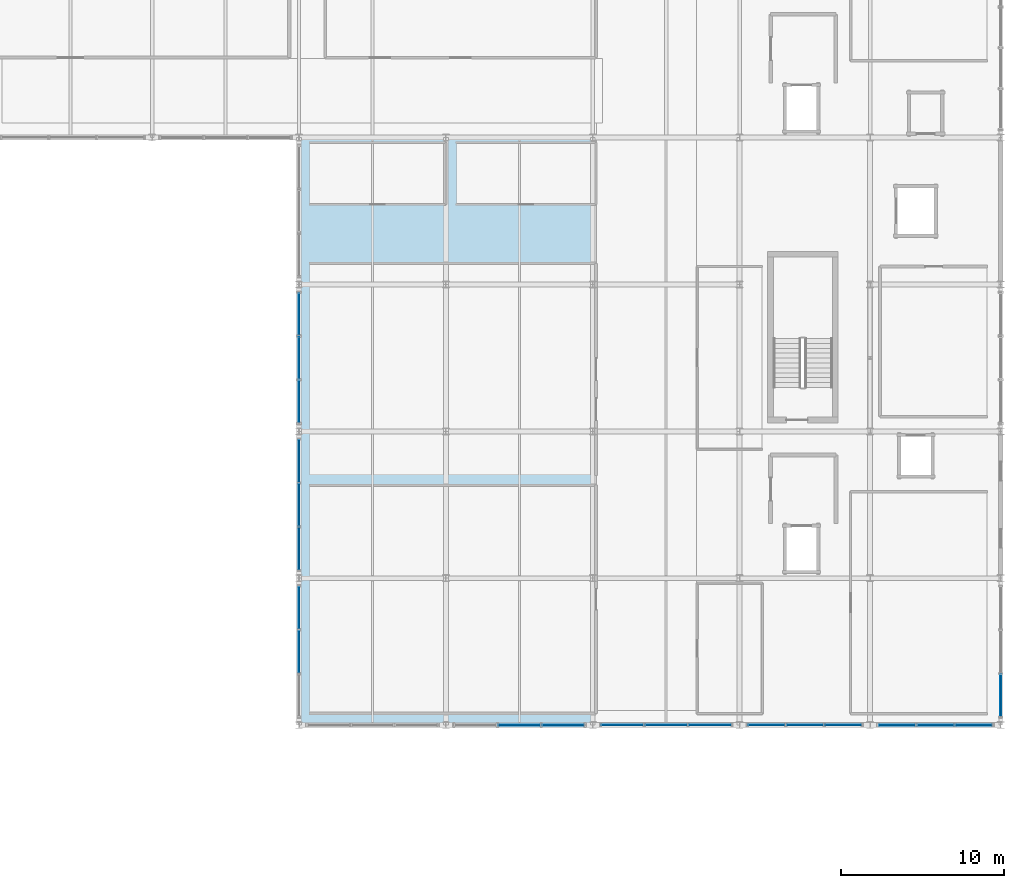
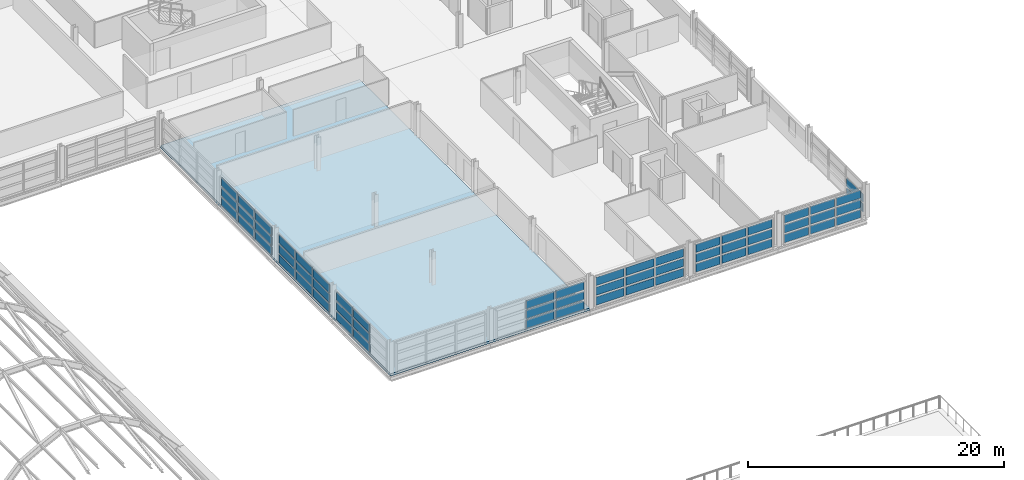
# One storey, part 58 of 86: 59 plates, 1 slab, 8 elements without a shape of their own.
"""IFC4 building model written with IfcOpenShell, lengths in metres."""

from ifc_helpers import new_model, si_unit, direction, frame, origin, origin_2d, place, context, subcontext, project, spatial, polyline, rectangle, outline, extrude, material, layer, layer_set, type_object, element, aggregate, save


model = new_model("IFC4")

# Units and contexts
model_context = context("Model", 3, precision=1e-05, world=origin(), true_north=direction((0.0, 1.0)))
body_context = subcontext(model_context, "Body", "Model", "MODEL_VIEW")
ifc_project = project(units=[si_unit("LENGTHUNIT", "METRE"), si_unit("AREAUNIT", "SQUARE_METRE"), si_unit("VOLUMEUNIT", "CUBIC_METRE"), si_unit("PLANEANGLEUNIT", "RADIAN"), si_unit("MASSUNIT", "GRAM", prefix="KILO")], contexts=[model_context])

# Site, building, storey
site_placement = place(None, origin())
site = spatial("IfcSite", under=ifc_project, at=site_placement, CompositionType="ELEMENT")
building_placement = place(site_placement, origin())
building = spatial("IfcBuilding", under=site, at=building_placement, Name="Chuanluo Vaults Station", CompositionType="ELEMENT")
storey_placement = place(building_placement, frame((0.0, 0.0, 14.39990234375)))
storey = spatial("IfcBuildingStorey", under=building, at=storey_placement, Name="L03", CompositionType="ELEMENT", Elevation=14.39990234375)

# Curtain wall, plates
ifc_material_1 = material(Name="Anodised aluminium 6063-T6", Category="aluminium")
curtain_wall_type_1 = type_object("IfcCurtainWallType", Name="CW-SYS-19", PredefinedType="NOTDEFINED", material=ifc_material_1)
curtain_wall_1_placement = place(storey_placement, origin())
curtain_wall_1 = element("IfcCurtainWall", 1, at=curtain_wall_1_placement, inside=storey, type_object=curtain_wall_type_1, Name="Operations L03 facade CW part 2", PredefinedType="NOTDEFINED")
ifc_material_2 = material(Name="Ceramic-fritted spandrel glass", Category="glass")
ifc_layer_1 = layer(ifc_material_2, 0.06396484375)
ifc_layer_set_1 = layer_set([ifc_layer_1], Name="Ceramic-fritted spandrel glass")
plate_type_1 = type_object("IfcPlateType", Name="CWP-SPN-42", PredefinedType="SHEET", material=ifc_layer_set_1)
plate_1_placement = place(storey_placement, frame((178.35009765625, 67.5, 0.080078125), z_axis=(0.0, 0.0, 1.0), x_axis=(-1.0, 0.0, 0.0)))
plate_1 = element("IfcPlate", 2, at=plate_1_placement, type_object=plate_type_1, Name="Operations L03 facade CW part 2 glazed panel 1.1", PredefinedType="SHEET", context=body_context, shape_type="SweptSolid", body=[
    extrude(rectangle(XDim=2.18994140625, YDim=0.06396484375, at=origin_2d()), origin(), (0.0, 0.0, 1.0), 0.773193359375),
])
plate_2_placement = place(storey_placement, frame((176.0, 67.5, 0.080078125), z_axis=(0.0, 0.0, 1.0), x_axis=(-1.0, 0.0, 0.0)))
plate_2 = element("IfcPlate", 3, at=plate_2_placement, type_object=plate_type_1, Name="Operations L03 facade CW part 2 glazed panel 2.1", PredefinedType="SHEET", context=body_context, shape_type="SweptSolid", body=[
    extrude(rectangle(XDim=2.18994140625, YDim=0.06396484375, at=origin_2d()), origin(), (0.0, 0.0, 1.0), 0.773193359375),
])
plate_3_placement = place(storey_placement, frame((173.64990234375, 67.5, 0.080078125), z_axis=(0.0, 0.0, 1.0), x_axis=(-1.0, 0.0, 0.0)))
plate_3 = element("IfcPlate", 4, at=plate_3_placement, type_object=plate_type_1, Name="Operations L03 facade CW part 2 glazed panel 3.1", PredefinedType="SHEET", context=body_context, shape_type="SweptSolid", body=[
    extrude(rectangle(XDim=2.18994140625, YDim=0.06396484375, at=origin_2d()), origin(), (0.0, 0.0, 1.0), 0.773193359375),
])

ifc_material_3 = material(Name="Anodised aluminium 6063-T6", Category="aluminium")
curtain_wall_type_2 = type_object("IfcCurtainWallType", Name="CW-SYS-21", PredefinedType="NOTDEFINED", material=ifc_material_3)
curtain_wall_2_placement = place(storey_placement, origin())
curtain_wall_2 = element("IfcCurtainWall", 5, at=curtain_wall_2_placement, inside=storey, type_object=curtain_wall_type_2, Name="Operations L03 facade CW", PredefinedType="NOTDEFINED")
plate_4_placement = place(storey_placement, frame((161.183349609375, 67.5, 0.080078125), z_axis=(0.0, 0.0, 1.0), x_axis=(-1.0, 0.0, 0.0)))
plate_4 = element("IfcPlate", 6, at=plate_4_placement, type_object=plate_type_1, Name="Operations L03 facade CW glazed panel 1.1", PredefinedType="SHEET", context=body_context, shape_type="SweptSolid", body=[
    extrude(rectangle(XDim=2.523193359375, YDim=0.06396484375, at=origin_2d()), origin(), (0.0, 0.0, 1.0), 0.773193359375),
])
plate_5_placement = place(storey_placement, frame((158.5, 67.5, 0.080078125), z_axis=(0.0, 0.0, 1.0), x_axis=(-1.0, 0.0, 0.0)))
plate_5 = element("IfcPlate", 7, at=plate_5_placement, type_object=plate_type_1, Name="Operations L03 facade CW glazed panel 2.1", PredefinedType="SHEET", context=body_context, shape_type="SweptSolid", body=[
    extrude(rectangle(XDim=2.523193359375, YDim=0.06396484375, at=origin_2d()), origin(), (0.0, 0.0, 1.0), 0.773193359375),
])

ifc_material_4 = material(Name="Anodised aluminium 6063-T6", Category="aluminium")
curtain_wall_type_3 = type_object("IfcCurtainWallType", Name="CW-SYS-23", PredefinedType="NOTDEFINED", material=ifc_material_4)
curtain_wall_3_placement = place(storey_placement, origin())
curtain_wall_3 = element("IfcCurtainWall", 8, at=curtain_wall_3_placement, inside=storey, type_object=curtain_wall_type_3, Name="Operations L03 facade CW", PredefinedType="NOTDEFINED")
plate_6_placement = place(storey_placement, frame((145.0, 72.0, 0.080078125), z_axis=(0.0, 0.0, 1.0), x_axis=(0.0, 1.0, 0.0)))
plate_6 = element("IfcPlate", 9, at=plate_6_placement, type_object=plate_type_1, Name="Operations L03 facade CW glazed panel 2.1", PredefinedType="SHEET", context=body_context, shape_type="SweptSolid", body=[
    extrude(rectangle(XDim=2.523193359375, YDim=0.06396484375, at=origin_2d()), origin(), (0.0, 0.0, 1.0), 0.773193359375),
])
plate_7_placement = place(storey_placement, frame((145.0, 74.683349609375, 0.080078125), z_axis=(0.0, 0.0, 1.0), x_axis=(0.0, 1.0, 0.0)))
plate_7 = element("IfcPlate", 10, at=plate_7_placement, type_object=plate_type_1, Name="Operations L03 facade CW glazed panel 3.1", PredefinedType="SHEET", context=body_context, shape_type="SweptSolid", body=[
    extrude(rectangle(XDim=2.523193359375, YDim=0.06396484375, at=origin_2d()), origin(), (0.0, 0.0, 1.0), 0.773193359375),
])

ifc_material_5 = material(Name="Anodised aluminium 6063-T6", Category="aluminium")
curtain_wall_type_4 = type_object("IfcCurtainWallType", Name="CW-SYS-25", PredefinedType="NOTDEFINED", material=ifc_material_5)
curtain_wall_4_placement = place(storey_placement, origin())
curtain_wall_4 = element("IfcCurtainWall", 11, at=curtain_wall_4_placement, inside=storey, type_object=curtain_wall_type_4, Name="Operations L03 facade CW", PredefinedType="NOTDEFINED")
plate_8_placement = place(storey_placement, frame((145.0, 87.316650390625, 0.080078125), z_axis=(0.0, 0.0, 1.0), x_axis=(0.0, 1.0, 0.0)))
plate_8 = element("IfcPlate", 12, at=plate_8_placement, type_object=plate_type_1, Name="Operations L03 facade CW glazed panel 1.1", PredefinedType="SHEET", context=body_context, shape_type="SweptSolid", body=[
    extrude(rectangle(XDim=2.523193359375, YDim=0.06396484375, at=origin_2d()), origin(), (0.0, 0.0, 1.0), 0.773193359375),
])
plate_9_placement = place(storey_placement, frame((145.0, 90.0, 0.080078125), z_axis=(0.0, 0.0, 1.0), x_axis=(0.0, 1.0, 0.0)))
plate_9 = element("IfcPlate", 13, at=plate_9_placement, type_object=plate_type_1, Name="Operations L03 facade CW glazed panel 2.1", PredefinedType="SHEET", context=body_context, shape_type="SweptSolid", body=[
    extrude(rectangle(XDim=2.523193359375, YDim=0.06396484375, at=origin_2d()), origin(), (0.0, 0.0, 1.0), 0.773193359375),
])
plate_10_placement = place(storey_placement, frame((145.0, 92.683349609375, 0.080078125), z_axis=(0.0, 0.0, 1.0), x_axis=(0.0, 1.0, 0.0)))
plate_10 = element("IfcPlate", 14, at=plate_10_placement, type_object=plate_type_1, Name="Operations L03 facade CW glazed panel 3.1", PredefinedType="SHEET", context=body_context, shape_type="SweptSolid", body=[
    extrude(rectangle(XDim=2.523193359375, YDim=0.06396484375, at=origin_2d()), origin(), (0.0, 0.0, 1.0), 0.773193359375),
])

ifc_material_6 = material(Name="Anodised aluminium 6063-T6", Category="aluminium")
curtain_wall_type_5 = type_object("IfcCurtainWallType", Name="CW-SYS-18", PredefinedType="NOTDEFINED", material=ifc_material_6)
curtain_wall_5_placement = place(storey_placement, origin())
curtain_wall_5 = element("IfcCurtainWall", 15, at=curtain_wall_5_placement, inside=storey, type_object=curtain_wall_type_5, Name="Operations L03 facade CW part 1", PredefinedType="NOTDEFINED")
ifc_material_7 = material(Name="Ceramic-fritted spandrel glass", Category="glass")
ifc_layer_2 = layer(ifc_material_7, 0.070068359375)
ifc_layer_set_2 = layer_set([ifc_layer_2], Name="Ceramic-fritted spandrel glass")
plate_type_2 = type_object("IfcPlateType", Name="CWP-SPN-50", PredefinedType="SHEET", material=ifc_layer_set_2)
plate_11_placement = place(storey_placement, frame((186.35009765625, 67.5, 0.080078125), z_axis=(0.0, 0.0, 1.0), x_axis=(-1.0, 0.0, 0.0)))
plate_11 = element("IfcPlate", 16, at=plate_11_placement, type_object=plate_type_2, Name="Operations L03 facade CW part 1 glazed panel 1.1", PredefinedType="SHEET", context=body_context, shape_type="SweptSolid", body=[
    extrude(rectangle(XDim=2.18994140625, YDim=0.070068359375, at=origin_2d()), origin(), (0.0, 0.0, 1.0), 0.773193359375),
])
plate_12_placement = place(storey_placement, frame((184.0, 67.5, 0.080078125), z_axis=(0.0, 0.0, 1.0), x_axis=(-1.0, 0.0, 0.0)))
plate_12 = element("IfcPlate", 17, at=plate_12_placement, type_object=plate_type_2, Name="Operations L03 facade CW part 1 glazed panel 2.1", PredefinedType="SHEET", context=body_context, shape_type="SweptSolid", body=[
    extrude(rectangle(XDim=2.18994140625, YDim=0.070068359375, at=origin_2d()), origin(), (0.0, 0.0, 1.0), 0.773193359375),
])
plate_13_placement = place(storey_placement, frame((181.64990234375, 67.5, 0.080078125), z_axis=(0.0, 0.0, 1.0), x_axis=(-1.0, 0.0, 0.0)))
plate_13 = element("IfcPlate", 18, at=plate_13_placement, type_object=plate_type_2, Name="Operations L03 facade CW part 1 glazed panel 3.1", PredefinedType="SHEET", context=body_context, shape_type="SweptSolid", body=[
    extrude(rectangle(XDim=2.18994140625, YDim=0.070068359375, at=origin_2d()), origin(), (0.0, 0.0, 1.0), 0.773193359375),
])

ifc_material_8 = material(Name="Anodised aluminium 6063-T6", Category="aluminium")
curtain_wall_type_6 = type_object("IfcCurtainWallType", Name="CW-SYS-20", PredefinedType="NOTDEFINED", material=ifc_material_8)
curtain_wall_6_placement = place(storey_placement, origin())
curtain_wall_6 = element("IfcCurtainWall", 19, at=curtain_wall_6_placement, inside=storey, type_object=curtain_wall_type_6, Name="Operations L03 facade CW", PredefinedType="NOTDEFINED")
plate_14_placement = place(storey_placement, frame((170.183349609375, 67.5, 0.080078125), z_axis=(0.0, 0.0, 1.0), x_axis=(-1.0, 0.0, 0.0)))
plate_14 = element("IfcPlate", 20, at=plate_14_placement, type_object=plate_type_2, Name="Operations L03 facade CW glazed panel 1.1", PredefinedType="SHEET", context=body_context, shape_type="SweptSolid", body=[
    extrude(rectangle(XDim=2.523193359375, YDim=0.070068359375, at=origin_2d()), origin(), (0.0, 0.0, 1.0), 0.773193359375),
])
plate_15_placement = place(storey_placement, frame((167.5, 67.5, 0.080078125), z_axis=(0.0, 0.0, 1.0), x_axis=(-1.0, 0.0, 0.0)))
plate_15 = element("IfcPlate", 21, at=plate_15_placement, type_object=plate_type_2, Name="Operations L03 facade CW glazed panel 2.1", PredefinedType="SHEET", context=body_context, shape_type="SweptSolid", body=[
    extrude(rectangle(XDim=2.523193359375, YDim=0.070068359375, at=origin_2d()), origin(), (0.0, 0.0, 1.0), 0.773193359375),
])
plate_16_placement = place(storey_placement, frame((164.816650390625, 67.5, 0.080078125), z_axis=(0.0, 0.0, 1.0), x_axis=(-1.0, 0.0, 0.0)))
plate_16 = element("IfcPlate", 22, at=plate_16_placement, type_object=plate_type_2, Name="Operations L03 facade CW glazed panel 3.1", PredefinedType="SHEET", context=body_context, shape_type="SweptSolid", body=[
    extrude(rectangle(XDim=2.523193359375, YDim=0.070068359375, at=origin_2d()), origin(), (0.0, 0.0, 1.0), 0.773193359375),
])

ifc_material_9 = material(Name="Anodised aluminium 6063-T6", Category="aluminium")
curtain_wall_type_7 = type_object("IfcCurtainWallType", Name="CW-SYS-24", PredefinedType="NOTDEFINED", material=ifc_material_9)
curtain_wall_7_placement = place(storey_placement, origin())
curtain_wall_7 = element("IfcCurtainWall", 23, at=curtain_wall_7_placement, inside=storey, type_object=curtain_wall_type_7, Name="Operations L03 facade CW", PredefinedType="NOTDEFINED")
plate_17_placement = place(storey_placement, frame((145.0, 78.316650390625, 0.080078125), z_axis=(0.0, 0.0, 1.0), x_axis=(0.0, 1.0, 0.0)))
plate_17 = element("IfcPlate", 24, at=plate_17_placement, type_object=plate_type_2, Name="Operations L03 facade CW glazed panel 1.1", PredefinedType="SHEET", context=body_context, shape_type="SweptSolid", body=[
    extrude(rectangle(XDim=2.523193359375, YDim=0.070068359375, at=origin_2d()), origin(), (0.0, 0.0, 1.0), 0.773193359375),
])
plate_18_placement = place(storey_placement, frame((145.0, 81.0, 0.080078125), z_axis=(0.0, 0.0, 1.0), x_axis=(0.0, 1.0, 0.0)))
plate_18 = element("IfcPlate", 25, at=plate_18_placement, type_object=plate_type_2, Name="Operations L03 facade CW glazed panel 2.1", PredefinedType="SHEET", context=body_context, shape_type="SweptSolid", body=[
    extrude(rectangle(XDim=2.523193359375, YDim=0.070068359375, at=origin_2d()), origin(), (0.0, 0.0, 1.0), 0.773193359375),
])
plate_19_placement = place(storey_placement, frame((145.0, 83.683349609375, 0.080078125), z_axis=(0.0, 0.0, 1.0), x_axis=(0.0, 1.0, 0.0)))
plate_19 = element("IfcPlate", 26, at=plate_19_placement, type_object=plate_type_2, Name="Operations L03 facade CW glazed panel 3.1", PredefinedType="SHEET", context=body_context, shape_type="SweptSolid", body=[
    extrude(rectangle(XDim=2.523193359375, YDim=0.070068359375, at=origin_2d()), origin(), (0.0, 0.0, 1.0), 0.773193359375),
])

# Curtain wall, plate
ifc_material_10 = material(Name="Anodised aluminium 6063-T6", Category="aluminium")
curtain_wall_type_8 = type_object("IfcCurtainWallType", Name="CW-SYS-08", PredefinedType="NOTDEFINED", material=ifc_material_10)
curtain_wall_8_placement = place(storey_placement, origin())
curtain_wall_8 = element("IfcCurtainWall", 27, at=curtain_wall_8_placement, inside=storey, type_object=curtain_wall_type_8, Name="Operations L03 facade CW", PredefinedType="NOTDEFINED")
plate_20_placement = place(storey_placement, frame((188.0, 69.316650390625, 0.080078125), z_axis=(0.0, 0.0, 1.0), x_axis=(0.0, -1.0, 0.0)))
plate_20 = element("IfcPlate", 28, at=plate_20_placement, type_object=plate_type_2, Name="Operations L03 facade CW glazed panel 3.1", PredefinedType="SHEET", context=body_context, shape_type="SweptSolid", body=[
    extrude(rectangle(XDim=2.523193359375, YDim=0.070068359375, at=origin_2d()), origin(), (0.0, 0.0, 1.0), 0.773193359375),
])

# Plate
ifc_material_11 = material(Name="Double-silver Low-E laminated glass", Category="glass")
ifc_layer_3 = layer(ifc_material_11, 0.0439453125)
ifc_layer_set_3 = layer_set([ifc_layer_3], Name="Double-silver Low-E laminated glass")
plate_type_3 = type_object("IfcPlateType", Name="CWP-VIS-28", PredefinedType="CURTAIN_PANEL", material=ifc_layer_set_3)
plate_21_placement = place(storey_placement, frame((170.183349609375, 67.5, 1.013427734375), z_axis=(0.0, 0.0, 1.0), x_axis=(-1.0, 0.0, 0.0)))
plate_21 = element("IfcPlate", 29, at=plate_21_placement, type_object=plate_type_3, Name="Operations L03 facade CW glazed panel 1.2", PredefinedType="CURTAIN_PANEL", context=body_context, shape_type="SweptSolid", body=[
    extrude(rectangle(XDim=2.523193359375, YDim=0.0439453125, at=origin_2d()), origin(), (0.0, 0.0, 1.0), 0.7734375),
])

plate_22_placement = place(storey_placement, frame((170.183349609375, 67.5, 1.94677734375), z_axis=(0.0, 0.0, 1.0), x_axis=(-1.0, 0.0, 0.0)))
plate_22 = element("IfcPlate", 30, at=plate_22_placement, type_object=plate_type_3, Name="Operations L03 facade CW glazed panel 1.3", PredefinedType="CURTAIN_PANEL", context=body_context, shape_type="SweptSolid", body=[
    extrude(rectangle(XDim=2.523193359375, YDim=0.0439453125, at=origin_2d()), origin(), (0.0, 0.0, 1.0), 0.773193359375),
])

plate_23_placement = place(storey_placement, frame((167.5, 67.5, 1.013427734375), z_axis=(0.0, 0.0, 1.0), x_axis=(-1.0, 0.0, 0.0)))
plate_23 = element("IfcPlate", 31, at=plate_23_placement, type_object=plate_type_3, Name="Operations L03 facade CW glazed panel 2.2", PredefinedType="CURTAIN_PANEL", context=body_context, shape_type="SweptSolid", body=[
    extrude(rectangle(XDim=2.523193359375, YDim=0.0439453125, at=origin_2d()), origin(), (0.0, 0.0, 1.0), 0.7734375),
])

plate_24_placement = place(storey_placement, frame((167.5, 67.5, 1.94677734375), z_axis=(0.0, 0.0, 1.0), x_axis=(-1.0, 0.0, 0.0)))
plate_24 = element("IfcPlate", 32, at=plate_24_placement, type_object=plate_type_3, Name="Operations L03 facade CW glazed panel 2.3", PredefinedType="CURTAIN_PANEL", context=body_context, shape_type="SweptSolid", body=[
    extrude(rectangle(XDim=2.523193359375, YDim=0.0439453125, at=origin_2d()), origin(), (0.0, 0.0, 1.0), 0.773193359375),
])

plate_25_placement = place(storey_placement, frame((164.816650390625, 67.5, 1.013427734375), z_axis=(0.0, 0.0, 1.0), x_axis=(-1.0, 0.0, 0.0)))
plate_25 = element("IfcPlate", 33, at=plate_25_placement, type_object=plate_type_3, Name="Operations L03 facade CW glazed panel 3.2", PredefinedType="CURTAIN_PANEL", context=body_context, shape_type="SweptSolid", body=[
    extrude(rectangle(XDim=2.523193359375, YDim=0.0439453125, at=origin_2d()), origin(), (0.0, 0.0, 1.0), 0.7734375),
])

plate_26_placement = place(storey_placement, frame((164.816650390625, 67.5, 1.94677734375), z_axis=(0.0, 0.0, 1.0), x_axis=(-1.0, 0.0, 0.0)))
plate_26 = element("IfcPlate", 34, at=plate_26_placement, type_object=plate_type_3, Name="Operations L03 facade CW glazed panel 3.3", PredefinedType="CURTAIN_PANEL", context=body_context, shape_type="SweptSolid", body=[
    extrude(rectangle(XDim=2.523193359375, YDim=0.0439453125, at=origin_2d()), origin(), (0.0, 0.0, 1.0), 0.773193359375),
])

aggregate(curtain_wall_6, [plate_14, plate_21, plate_22, plate_15, plate_23, plate_24, plate_16, plate_25, plate_26])

plate_27_placement = place(storey_placement, frame((145.0, 78.316650390625, 1.013427734375), z_axis=(0.0, 0.0, 1.0), x_axis=(0.0, 1.0, 0.0)))
plate_27 = element("IfcPlate", 35, at=plate_27_placement, type_object=plate_type_3, Name="Operations L03 facade CW glazed panel 1.2", PredefinedType="CURTAIN_PANEL", context=body_context, shape_type="SweptSolid", body=[
    extrude(rectangle(XDim=2.523193359375, YDim=0.0439453125, at=origin_2d()), origin(), (0.0, 0.0, 1.0), 0.7734375),
])

plate_28_placement = place(storey_placement, frame((145.0, 78.316650390625, 1.94677734375), z_axis=(0.0, 0.0, 1.0), x_axis=(0.0, 1.0, 0.0)))
plate_28 = element("IfcPlate", 36, at=plate_28_placement, type_object=plate_type_3, Name="Operations L03 facade CW glazed panel 1.3", PredefinedType="CURTAIN_PANEL", context=body_context, shape_type="SweptSolid", body=[
    extrude(rectangle(XDim=2.523193359375, YDim=0.0439453125, at=origin_2d()), origin(), (0.0, 0.0, 1.0), 0.773193359375),
])

plate_29_placement = place(storey_placement, frame((145.0, 81.0, 1.013427734375), z_axis=(0.0, 0.0, 1.0), x_axis=(0.0, 1.0, 0.0)))
plate_29 = element("IfcPlate", 37, at=plate_29_placement, type_object=plate_type_3, Name="Operations L03 facade CW glazed panel 2.2", PredefinedType="CURTAIN_PANEL", context=body_context, shape_type="SweptSolid", body=[
    extrude(rectangle(XDim=2.523193359375, YDim=0.0439453125, at=origin_2d()), origin(), (0.0, 0.0, 1.0), 0.7734375),
])

plate_30_placement = place(storey_placement, frame((145.0, 81.0, 1.94677734375), z_axis=(0.0, 0.0, 1.0), x_axis=(0.0, 1.0, 0.0)))
plate_30 = element("IfcPlate", 38, at=plate_30_placement, type_object=plate_type_3, Name="Operations L03 facade CW glazed panel 2.3", PredefinedType="CURTAIN_PANEL", context=body_context, shape_type="SweptSolid", body=[
    extrude(rectangle(XDim=2.523193359375, YDim=0.0439453125, at=origin_2d()), origin(), (0.0, 0.0, 1.0), 0.773193359375),
])

plate_31_placement = place(storey_placement, frame((145.0, 83.683349609375, 1.013427734375), z_axis=(0.0, 0.0, 1.0), x_axis=(0.0, 1.0, 0.0)))
plate_31 = element("IfcPlate", 39, at=plate_31_placement, type_object=plate_type_3, Name="Operations L03 facade CW glazed panel 3.2", PredefinedType="CURTAIN_PANEL", context=body_context, shape_type="SweptSolid", body=[
    extrude(rectangle(XDim=2.523193359375, YDim=0.0439453125, at=origin_2d()), origin(), (0.0, 0.0, 1.0), 0.7734375),
])

plate_32_placement = place(storey_placement, frame((145.0, 83.683349609375, 1.94677734375), z_axis=(0.0, 0.0, 1.0), x_axis=(0.0, 1.0, 0.0)))
plate_32 = element("IfcPlate", 40, at=plate_32_placement, type_object=plate_type_3, Name="Operations L03 facade CW glazed panel 3.3", PredefinedType="CURTAIN_PANEL", context=body_context, shape_type="SweptSolid", body=[
    extrude(rectangle(XDim=2.523193359375, YDim=0.0439453125, at=origin_2d()), origin(), (0.0, 0.0, 1.0), 0.773193359375),
])

aggregate(curtain_wall_7, [plate_17, plate_27, plate_28, plate_18, plate_29, plate_30, plate_19, plate_31, plate_32])

plate_33_placement = place(storey_placement, frame((188.0, 69.316650390625, 1.013427734375), z_axis=(0.0, 0.0, 1.0), x_axis=(0.0, -1.0, 0.0)))
plate_33 = element("IfcPlate", 41, at=plate_33_placement, type_object=plate_type_3, Name="Operations L03 facade CW glazed panel 3.2", PredefinedType="CURTAIN_PANEL", context=body_context, shape_type="SweptSolid", body=[
    extrude(rectangle(XDim=2.523193359375, YDim=0.0439453125, at=origin_2d()), origin(), (0.0, 0.0, 1.0), 0.7734375),
])

aggregate(curtain_wall_8, [plate_20, plate_33])

ifc_material_12 = material(Name="Double-silver Low-E laminated glass", Category="glass")
ifc_layer_4 = layer(ifc_material_12, 0.048095703125)
ifc_layer_set_4 = layer_set([ifc_layer_4], Name="Double-silver Low-E laminated glass")
plate_type_4 = type_object("IfcPlateType", Name="CWP-VIS-32", PredefinedType="CURTAIN_PANEL", material=ifc_layer_set_4)
plate_34_placement = place(storey_placement, frame((178.35009765625, 67.5, 1.013427734375), z_axis=(0.0, 0.0, 1.0), x_axis=(-1.0, 0.0, 0.0)))
plate_34 = element("IfcPlate", 42, at=plate_34_placement, type_object=plate_type_4, Name="Operations L03 facade CW part 2 glazed panel 1.2", PredefinedType="CURTAIN_PANEL", context=body_context, shape_type="SweptSolid", body=[
    extrude(rectangle(XDim=2.18994140625, YDim=0.048095703125, at=origin_2d()), origin(), (0.0, 0.0, 1.0), 0.7734375),
])

plate_35_placement = place(storey_placement, frame((178.35009765625, 67.5, 1.94677734375), z_axis=(0.0, 0.0, 1.0), x_axis=(-1.0, 0.0, 0.0)))
plate_35 = element("IfcPlate", 43, at=plate_35_placement, type_object=plate_type_4, Name="Operations L03 facade CW part 2 glazed panel 1.3", PredefinedType="CURTAIN_PANEL", context=body_context, shape_type="SweptSolid", body=[
    extrude(rectangle(XDim=2.18994140625, YDim=0.048095703125, at=origin_2d()), origin(), (0.0, 0.0, 1.0), 0.773193359375),
])

plate_36_placement = place(storey_placement, frame((176.0, 67.5, 1.013427734375), z_axis=(0.0, 0.0, 1.0), x_axis=(-1.0, 0.0, 0.0)))
plate_36 = element("IfcPlate", 44, at=plate_36_placement, type_object=plate_type_4, Name="Operations L03 facade CW part 2 glazed panel 2.2", PredefinedType="CURTAIN_PANEL", context=body_context, shape_type="SweptSolid", body=[
    extrude(rectangle(XDim=2.18994140625, YDim=0.048095703125, at=origin_2d()), origin(), (0.0, 0.0, 1.0), 0.7734375),
])

plate_37_placement = place(storey_placement, frame((176.0, 67.5, 1.94677734375), z_axis=(0.0, 0.0, 1.0), x_axis=(-1.0, 0.0, 0.0)))
plate_37 = element("IfcPlate", 45, at=plate_37_placement, type_object=plate_type_4, Name="Operations L03 facade CW part 2 glazed panel 2.3", PredefinedType="CURTAIN_PANEL", context=body_context, shape_type="SweptSolid", body=[
    extrude(rectangle(XDim=2.18994140625, YDim=0.048095703125, at=origin_2d()), origin(), (0.0, 0.0, 1.0), 0.773193359375),
])

plate_38_placement = place(storey_placement, frame((173.64990234375, 67.5, 1.013427734375), z_axis=(0.0, 0.0, 1.0), x_axis=(-1.0, 0.0, 0.0)))
plate_38 = element("IfcPlate", 46, at=plate_38_placement, type_object=plate_type_4, Name="Operations L03 facade CW part 2 glazed panel 3.2", PredefinedType="CURTAIN_PANEL", context=body_context, shape_type="SweptSolid", body=[
    extrude(rectangle(XDim=2.18994140625, YDim=0.048095703125, at=origin_2d()), origin(), (0.0, 0.0, 1.0), 0.7734375),
])

plate_39_placement = place(storey_placement, frame((173.64990234375, 67.5, 1.94677734375), z_axis=(0.0, 0.0, 1.0), x_axis=(-1.0, 0.0, 0.0)))
plate_39 = element("IfcPlate", 47, at=plate_39_placement, type_object=plate_type_4, Name="Operations L03 facade CW part 2 glazed panel 3.3", PredefinedType="CURTAIN_PANEL", context=body_context, shape_type="SweptSolid", body=[
    extrude(rectangle(XDim=2.18994140625, YDim=0.048095703125, at=origin_2d()), origin(), (0.0, 0.0, 1.0), 0.773193359375),
])

aggregate(curtain_wall_1, [plate_1, plate_34, plate_35, plate_2, plate_36, plate_37, plate_3, plate_38, plate_39])

plate_40_placement = place(storey_placement, frame((145.0, 72.0, 1.013427734375), z_axis=(0.0, 0.0, 1.0), x_axis=(0.0, 1.0, 0.0)))
plate_40 = element("IfcPlate", 48, at=plate_40_placement, type_object=plate_type_4, Name="Operations L03 facade CW glazed panel 2.2", PredefinedType="CURTAIN_PANEL", context=body_context, shape_type="SweptSolid", body=[
    extrude(rectangle(XDim=2.523193359375, YDim=0.048095703125, at=origin_2d()), origin(), (0.0, 0.0, 1.0), 0.7734375),
])

plate_41_placement = place(storey_placement, frame((145.0, 72.0, 1.94677734375), z_axis=(0.0, 0.0, 1.0), x_axis=(0.0, 1.0, 0.0)))
plate_41 = element("IfcPlate", 49, at=plate_41_placement, type_object=plate_type_4, Name="Operations L03 facade CW glazed panel 2.3", PredefinedType="CURTAIN_PANEL", context=body_context, shape_type="SweptSolid", body=[
    extrude(rectangle(XDim=2.523193359375, YDim=0.048095703125, at=origin_2d()), origin(), (0.0, 0.0, 1.0), 0.773193359375),
])

plate_42_placement = place(storey_placement, frame((145.0, 74.683349609375, 1.013427734375), z_axis=(0.0, 0.0, 1.0), x_axis=(0.0, 1.0, 0.0)))
plate_42 = element("IfcPlate", 50, at=plate_42_placement, type_object=plate_type_4, Name="Operations L03 facade CW glazed panel 3.2", PredefinedType="CURTAIN_PANEL", context=body_context, shape_type="SweptSolid", body=[
    extrude(rectangle(XDim=2.523193359375, YDim=0.048095703125, at=origin_2d()), origin(), (0.0, 0.0, 1.0), 0.7734375),
])

plate_43_placement = place(storey_placement, frame((145.0, 74.683349609375, 1.94677734375), z_axis=(0.0, 0.0, 1.0), x_axis=(0.0, 1.0, 0.0)))
plate_43 = element("IfcPlate", 51, at=plate_43_placement, type_object=plate_type_4, Name="Operations L03 facade CW glazed panel 3.3", PredefinedType="CURTAIN_PANEL", context=body_context, shape_type="SweptSolid", body=[
    extrude(rectangle(XDim=2.523193359375, YDim=0.048095703125, at=origin_2d()), origin(), (0.0, 0.0, 1.0), 0.773193359375),
])

aggregate(curtain_wall_3, [plate_6, plate_40, plate_41, plate_7, plate_42, plate_43])

ifc_material_13 = material(Name="Double-silver Low-E laminated glass", Category="glass")
ifc_layer_5 = layer(ifc_material_13, 0.053955078125)
ifc_layer_set_5 = layer_set([ifc_layer_5], Name="Double-silver Low-E laminated glass")
plate_type_5 = type_object("IfcPlateType", Name="CWP-VIS-36", PredefinedType="CURTAIN_PANEL", material=ifc_layer_set_5)
plate_44_placement = place(storey_placement, frame((186.35009765625, 67.5, 1.013427734375), z_axis=(0.0, 0.0, 1.0), x_axis=(-1.0, 0.0, 0.0)))
plate_44 = element("IfcPlate", 52, at=plate_44_placement, type_object=plate_type_5, Name="Operations L03 facade CW part 1 glazed panel 1.2", PredefinedType="CURTAIN_PANEL", context=body_context, shape_type="SweptSolid", body=[
    extrude(rectangle(XDim=2.18994140625, YDim=0.053955078125, at=origin_2d()), origin(), (0.0, 0.0, 1.0), 0.7734375),
])

plate_45_placement = place(storey_placement, frame((186.35009765625, 67.5, 1.94677734375), z_axis=(0.0, 0.0, 1.0), x_axis=(-1.0, 0.0, 0.0)))
plate_45 = element("IfcPlate", 53, at=plate_45_placement, type_object=plate_type_5, Name="Operations L03 facade CW part 1 glazed panel 1.3", PredefinedType="CURTAIN_PANEL", context=body_context, shape_type="SweptSolid", body=[
    extrude(rectangle(XDim=2.18994140625, YDim=0.053955078125, at=origin_2d()), origin(), (0.0, 0.0, 1.0), 0.773193359375),
])

plate_46_placement = place(storey_placement, frame((184.0, 67.5, 1.013427734375), z_axis=(0.0, 0.0, 1.0), x_axis=(-1.0, 0.0, 0.0)))
plate_46 = element("IfcPlate", 54, at=plate_46_placement, type_object=plate_type_5, Name="Operations L03 facade CW part 1 glazed panel 2.2", PredefinedType="CURTAIN_PANEL", context=body_context, shape_type="SweptSolid", body=[
    extrude(rectangle(XDim=2.18994140625, YDim=0.053955078125, at=origin_2d()), origin(), (0.0, 0.0, 1.0), 0.7734375),
])

plate_47_placement = place(storey_placement, frame((184.0, 67.5, 1.94677734375), z_axis=(0.0, 0.0, 1.0), x_axis=(-1.0, 0.0, 0.0)))
plate_47 = element("IfcPlate", 55, at=plate_47_placement, type_object=plate_type_5, Name="Operations L03 facade CW part 1 glazed panel 2.3", PredefinedType="CURTAIN_PANEL", context=body_context, shape_type="SweptSolid", body=[
    extrude(rectangle(XDim=2.18994140625, YDim=0.053955078125, at=origin_2d()), origin(), (0.0, 0.0, 1.0), 0.773193359375),
])

plate_48_placement = place(storey_placement, frame((181.64990234375, 67.5, 1.013427734375), z_axis=(0.0, 0.0, 1.0), x_axis=(-1.0, 0.0, 0.0)))
plate_48 = element("IfcPlate", 56, at=plate_48_placement, type_object=plate_type_5, Name="Operations L03 facade CW part 1 glazed panel 3.2", PredefinedType="CURTAIN_PANEL", context=body_context, shape_type="SweptSolid", body=[
    extrude(rectangle(XDim=2.18994140625, YDim=0.053955078125, at=origin_2d()), origin(), (0.0, 0.0, 1.0), 0.7734375),
])

plate_49_placement = place(storey_placement, frame((181.64990234375, 67.5, 1.94677734375), z_axis=(0.0, 0.0, 1.0), x_axis=(-1.0, 0.0, 0.0)))
plate_49 = element("IfcPlate", 57, at=plate_49_placement, type_object=plate_type_5, Name="Operations L03 facade CW part 1 glazed panel 3.3", PredefinedType="CURTAIN_PANEL", context=body_context, shape_type="SweptSolid", body=[
    extrude(rectangle(XDim=2.18994140625, YDim=0.053955078125, at=origin_2d()), origin(), (0.0, 0.0, 1.0), 0.773193359375),
])

aggregate(curtain_wall_5, [plate_11, plate_44, plate_45, plate_12, plate_46, plate_47, plate_13, plate_48, plate_49])

ifc_material_14 = material(Name="Double-silver Low-E laminated glass", Category="glass")
ifc_layer_6 = layer(ifc_material_14, 0.05810546875)
ifc_layer_set_6 = layer_set([ifc_layer_6], Name="Double-silver Low-E laminated glass")
plate_type_6 = type_object("IfcPlateType", Name="CWP-VIS-38", PredefinedType="CURTAIN_PANEL", material=ifc_layer_set_6)
plate_50_placement = place(storey_placement, frame((161.183349609375, 67.5, 1.013427734375), z_axis=(0.0, 0.0, 1.0), x_axis=(-1.0, 0.0, 0.0)))
plate_50 = element("IfcPlate", 58, at=plate_50_placement, type_object=plate_type_6, Name="Operations L03 facade CW glazed panel 1.2", PredefinedType="CURTAIN_PANEL", context=body_context, shape_type="SweptSolid", body=[
    extrude(rectangle(XDim=2.523193359375, YDim=0.05810546875, at=origin_2d()), origin(), (0.0, 0.0, 1.0), 0.7734375),
])

plate_51_placement = place(storey_placement, frame((161.183349609375, 67.5, 1.94677734375), z_axis=(0.0, 0.0, 1.0), x_axis=(-1.0, 0.0, 0.0)))
plate_51 = element("IfcPlate", 59, at=plate_51_placement, type_object=plate_type_6, Name="Operations L03 facade CW glazed panel 1.3", PredefinedType="CURTAIN_PANEL", context=body_context, shape_type="SweptSolid", body=[
    extrude(rectangle(XDim=2.523193359375, YDim=0.05810546875, at=origin_2d()), origin(), (0.0, 0.0, 1.0), 0.773193359375),
])

plate_52_placement = place(storey_placement, frame((158.5, 67.5, 1.013427734375), z_axis=(0.0, 0.0, 1.0), x_axis=(-1.0, 0.0, 0.0)))
plate_52 = element("IfcPlate", 60, at=plate_52_placement, type_object=plate_type_6, Name="Operations L03 facade CW glazed panel 2.2", PredefinedType="CURTAIN_PANEL", context=body_context, shape_type="SweptSolid", body=[
    extrude(rectangle(XDim=2.523193359375, YDim=0.05810546875, at=origin_2d()), origin(), (0.0, 0.0, 1.0), 0.7734375),
])

plate_53_placement = place(storey_placement, frame((158.5, 67.5, 1.94677734375), z_axis=(0.0, 0.0, 1.0), x_axis=(-1.0, 0.0, 0.0)))
plate_53 = element("IfcPlate", 61, at=plate_53_placement, type_object=plate_type_6, Name="Operations L03 facade CW glazed panel 2.3", PredefinedType="CURTAIN_PANEL", context=body_context, shape_type="SweptSolid", body=[
    extrude(rectangle(XDim=2.523193359375, YDim=0.05810546875, at=origin_2d()), origin(), (0.0, 0.0, 1.0), 0.773193359375),
])

aggregate(curtain_wall_2, [plate_4, plate_50, plate_51, plate_5, plate_52, plate_53])

plate_54_placement = place(storey_placement, frame((145.0, 87.316650390625, 1.013427734375), z_axis=(0.0, 0.0, 1.0), x_axis=(0.0, 1.0, 0.0)))
plate_54 = element("IfcPlate", 62, at=plate_54_placement, type_object=plate_type_6, Name="Operations L03 facade CW glazed panel 1.2", PredefinedType="CURTAIN_PANEL", context=body_context, shape_type="SweptSolid", body=[
    extrude(rectangle(XDim=2.523193359375, YDim=0.05810546875, at=origin_2d()), origin(), (0.0, 0.0, 1.0), 0.7734375),
])

plate_55_placement = place(storey_placement, frame((145.0, 87.316650390625, 1.94677734375), z_axis=(0.0, 0.0, 1.0), x_axis=(0.0, 1.0, 0.0)))
plate_55 = element("IfcPlate", 63, at=plate_55_placement, type_object=plate_type_6, Name="Operations L03 facade CW glazed panel 1.3", PredefinedType="CURTAIN_PANEL", context=body_context, shape_type="SweptSolid", body=[
    extrude(rectangle(XDim=2.523193359375, YDim=0.05810546875, at=origin_2d()), origin(), (0.0, 0.0, 1.0), 0.773193359375),
])

plate_56_placement = place(storey_placement, frame((145.0, 90.0, 1.013427734375), z_axis=(0.0, 0.0, 1.0), x_axis=(0.0, 1.0, 0.0)))
plate_56 = element("IfcPlate", 64, at=plate_56_placement, type_object=plate_type_6, Name="Operations L03 facade CW glazed panel 2.2", PredefinedType="CURTAIN_PANEL", context=body_context, shape_type="SweptSolid", body=[
    extrude(rectangle(XDim=2.523193359375, YDim=0.05810546875, at=origin_2d()), origin(), (0.0, 0.0, 1.0), 0.7734375),
])

plate_57_placement = place(storey_placement, frame((145.0, 90.0, 1.94677734375), z_axis=(0.0, 0.0, 1.0), x_axis=(0.0, 1.0, 0.0)))
plate_57 = element("IfcPlate", 65, at=plate_57_placement, type_object=plate_type_6, Name="Operations L03 facade CW glazed panel 2.3", PredefinedType="CURTAIN_PANEL", context=body_context, shape_type="SweptSolid", body=[
    extrude(rectangle(XDim=2.523193359375, YDim=0.05810546875, at=origin_2d()), origin(), (0.0, 0.0, 1.0), 0.773193359375),
])

plate_58_placement = place(storey_placement, frame((145.0, 92.683349609375, 1.013427734375), z_axis=(0.0, 0.0, 1.0), x_axis=(0.0, 1.0, 0.0)))
plate_58 = element("IfcPlate", 66, at=plate_58_placement, type_object=plate_type_6, Name="Operations L03 facade CW glazed panel 3.2", PredefinedType="CURTAIN_PANEL", context=body_context, shape_type="SweptSolid", body=[
    extrude(rectangle(XDim=2.523193359375, YDim=0.05810546875, at=origin_2d()), origin(), (0.0, 0.0, 1.0), 0.7734375),
])

plate_59_placement = place(storey_placement, frame((145.0, 92.683349609375, 1.94677734375), z_axis=(0.0, 0.0, 1.0), x_axis=(0.0, 1.0, 0.0)))
plate_59 = element("IfcPlate", 67, at=plate_59_placement, type_object=plate_type_6, Name="Operations L03 facade CW glazed panel 3.3", PredefinedType="CURTAIN_PANEL", context=body_context, shape_type="SweptSolid", body=[
    extrude(rectangle(XDim=2.523193359375, YDim=0.05810546875, at=origin_2d()), origin(), (0.0, 0.0, 1.0), 0.773193359375),
])

aggregate(curtain_wall_4, [plate_8, plate_54, plate_55, plate_9, plate_56, plate_57, plate_10, plate_58, plate_59])

# Slab
ifc_material_15 = material(Name="Concrete C40", Category="concrete")
ifc_layer_7 = layer(ifc_material_15, 0.219970703125)
ifc_layer_set_7 = layer_set([ifc_layer_7], Name="Concrete C40")
slab_type = type_object("IfcSlabType", Name="SLB-OPS-220", PredefinedType="FLOOR", material=ifc_layer_set_7)
slab_placement = place(storey_placement, frame((0.0, 0.0, -0.219970703125)))
element("IfcSlab", 68, at=slab_placement, inside=storey, type_object=slab_type, Name="L03 OPS slab 01", PredefinedType="FLOOR", context=body_context, shape_type="SweptSolid", body=[
    extrude(outline(polyline([(145.0, 67.5), (163.0, 67.5), (163.0, 103.5), (145.0, 103.5), (145.0, 67.5)])), origin(), (0.0, 0.0, 1.0), 0.219970703125),
])

save(model, "model.ifc")
